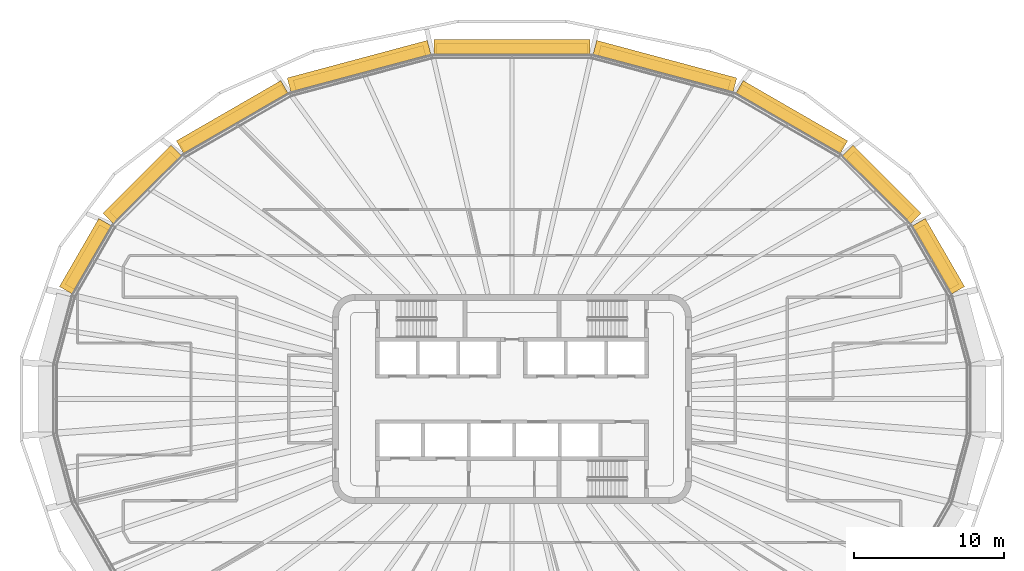
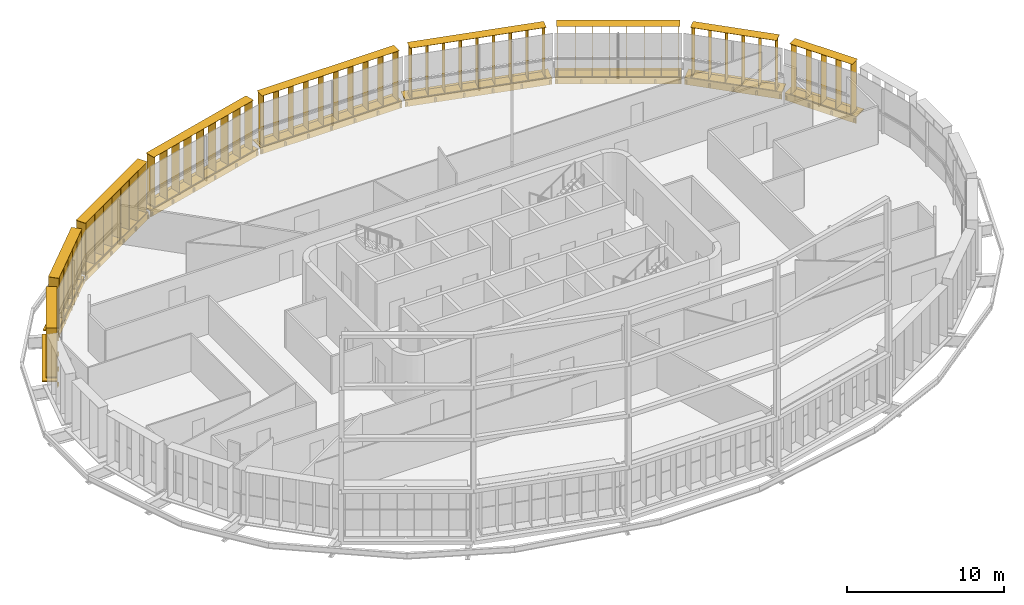
# One storey, part 20 of 20: 18 shading devices.
"""IFC4 building model written with IfcOpenShell, lengths in metres."""

from ifc_helpers import new_model, si_unit, direction, frame, origin, origin_2d, place, context, subcontext, project, spatial, rectangle, extrude, material, type_object, element, save


model = new_model("IFC4")

# Units and contexts
model_context = context("Model", 3, precision=1e-05, world=origin(), true_north=direction((0.0, 1.0)))
body_context = subcontext(model_context, "Body", "Model", "MODEL_VIEW")
ifc_project = project(units=[si_unit("LENGTHUNIT", "METRE"), si_unit("AREAUNIT", "SQUARE_METRE"), si_unit("VOLUMEUNIT", "CUBIC_METRE"), si_unit("PLANEANGLEUNIT", "RADIAN"), si_unit("MASSUNIT", "GRAM", prefix="KILO")], contexts=[model_context])

# Site, building, storey
site_placement = place(None, origin())
site = spatial("IfcSite", under=ifc_project, at=site_placement, CompositionType="ELEMENT")
building_placement = place(site_placement, origin())
building = spatial("IfcBuilding", under=site, at=building_placement, Name="Sahrelin Media Tower", CompositionType="ELEMENT")
storey_placement = place(building_placement, frame((0.0, 0.0, 209.60009765625)))
storey = spatial("IfcBuildingStorey", under=building, at=storey_placement, Name="L44", CompositionType="ELEMENT", Elevation=209.60009765625)

# Shading devices
ifc_material = material(Name="Champagne anodised aluminium 6063-T6", Category="aluminium")
shading_device_type_1 = type_object("IfcShadingDeviceType", Name="Fin cassette", PredefinedType="USERDEFINED", material=ifc_material)
placement_1 = place(storey_placement, frame((28.0615234375, 9.281982421875, 0.0), z_axis=(0.0, 0.0, 1.0), x_axis=(0.500011000363, -0.866019052629, 0.0)))
element("IfcShadingDevice", 1, at=placement_1, inside=storey, type_object=shading_device_type_1, Name="L44:FIN:L44-02", ObjectType="FIN", PredefinedType="USERDEFINED", context=body_context, shape_type="SweptSolid", body=[
    extrude(rectangle(XDim=4.60009765625, YDim=0.699951171875, at=origin_2d()), frame((0.0, 0.419921875, 0.0)), (0.0, 0.0, 1.0), 0.02001953125),
    extrude(rectangle(XDim=4.60009765625, YDim=0.699951171875, at=origin_2d()), frame((0.0, 0.419921875, 3.89990234375)), (0.0, 0.0, 1.0), 0.02001953125),
    extrude(rectangle(XDim=0.02001953125, YDim=0.699951171875, at=origin_2d()), frame((-2.199951171875, 0.419921875, 0.010009765625), z_axis=(0.0, 0.0, 1.0), x_axis=(1.0, 0.0, 0.0)), (0.0, 0.0, 1.0), 3.89990234375),
    extrude(rectangle(XDim=0.02001953125, YDim=0.699951171875, at=origin_2d()), frame((-1.10009765625, 0.419921875, 0.010009765625), z_axis=(0.0, 0.0, 1.0), x_axis=(1.0, 0.0, 0.0)), (0.0, 0.0, 1.0), 3.89990234375),
    extrude(rectangle(XDim=0.02001953125, YDim=0.699951171875, at=origin_2d()), frame((0.0, 0.419921875, 0.010009765625), z_axis=(0.0, 0.0, 1.0), x_axis=(1.0, 0.0, 0.0)), (0.0, 0.0, 1.0), 3.89990234375),
    extrude(rectangle(XDim=0.02001953125, YDim=0.699951171875, at=origin_2d()), frame((1.10009765625, 0.419921875, 0.010009765625), z_axis=(0.0, 0.0, 1.0), x_axis=(1.0, 0.0, 0.0)), (0.0, 0.0, 1.0), 3.89990234375),
    extrude(rectangle(XDim=0.02001953125, YDim=0.699951171875, at=origin_2d()), frame((2.199951171875, 0.419921875, 0.010009765625), z_axis=(0.0, 0.0, 1.0), x_axis=(1.0, 0.0, 0.0)), (0.0, 0.0, 1.0), 3.89990234375),
])
placement_2 = place(storey_placement, frame((24.356201171875, 13.985595703125, 0.0), z_axis=(0.0, 0.0, 1.0), x_axis=(0.707106781187, -0.707106781187, 0.0)))
element("IfcShadingDevice", 2, at=placement_2, inside=storey, type_object=shading_device_type_1, Name="L44:FIN:L44-03", ObjectType="FIN", PredefinedType="USERDEFINED", context=body_context, shape_type="SweptSolid", body=[
    extrude(rectangle(XDim=5.699951171875, YDim=0.699951171875, at=origin_2d()), frame((0.0, 0.419921875, 0.0)), (0.0, 0.0, 1.0), 0.02001953125),
    extrude(rectangle(XDim=5.699951171875, YDim=0.699951171875, at=origin_2d()), frame((0.0, 0.419921875, 3.89990234375)), (0.0, 0.0, 1.0), 0.02001953125),
    extrude(rectangle(XDim=0.02001953125, YDim=0.699951171875, at=origin_2d()), frame((-2.75, 0.419921875, 0.010009765625), z_axis=(0.0, 0.0, 1.0), x_axis=(1.0, 0.0, 0.0)), (0.0, 0.0, 1.0), 3.89990234375),
    extrude(rectangle(XDim=0.02001953125, YDim=0.699951171875, at=origin_2d()), frame((-1.64990234375, 0.419921875, 0.010009765625), z_axis=(0.0, 0.0, 1.0), x_axis=(1.0, 0.0, 0.0)), (0.0, 0.0, 1.0), 3.89990234375),
    extrude(rectangle(XDim=0.02001953125, YDim=0.699951171875, at=origin_2d()), frame((-0.550048828125, 0.419921875, 0.010009765625), z_axis=(0.0, 0.0, 1.0), x_axis=(1.0, 0.0, 0.0)), (0.0, 0.0, 1.0), 3.89990234375),
    extrude(rectangle(XDim=0.02001953125, YDim=0.699951171875, at=origin_2d()), frame((0.550048828125, 0.419921875, 0.010009765625), z_axis=(0.0, 0.0, 1.0), x_axis=(1.0, 0.0, 0.0)), (0.0, 0.0, 1.0), 3.89990234375),
    extrude(rectangle(XDim=0.02001953125, YDim=0.699951171875, at=origin_2d()), frame((1.64990234375, 0.419921875, 0.010009765625), z_axis=(0.0, 0.0, 1.0), x_axis=(1.0, 0.0, 0.0)), (0.0, 0.0, 1.0), 3.89990234375),
    extrude(rectangle(XDim=0.02001953125, YDim=0.699951171875, at=origin_2d()), frame((2.75, 0.419921875, 0.010009765625), z_axis=(0.0, 0.0, 1.0), x_axis=(1.0, 0.0, 0.0)), (0.0, 0.0, 1.0), 3.89990234375),
])
placement_3 = place(storey_placement, frame((18.439208984375, 18.3916015625, 0.0), z_axis=(0.0, 0.0, 1.0), x_axis=(0.866019052629, -0.500011000363, 0.0)))
element("IfcShadingDevice", 3, at=placement_3, inside=storey, type_object=shading_device_type_1, Name="L44:FIN:L44-04", ObjectType="FIN", PredefinedType="USERDEFINED", context=body_context, shape_type="SweptSolid", body=[
    extrude(rectangle(XDim=7.89990234375, YDim=0.699951171875, at=origin_2d()), frame((0.0, 0.419921875, 0.0)), (0.0, 0.0, 1.0), 0.02001953125),
    extrude(rectangle(XDim=7.89990234375, YDim=0.699951171875, at=origin_2d()), frame((0.0, 0.419921875, 3.89990234375)), (0.0, 0.0, 1.0), 0.02001953125),
    extrude(rectangle(XDim=0.02001953125, YDim=0.699951171875, at=origin_2d()), frame((-3.85009765625, 0.419921875, 0.010009765625), z_axis=(0.0, 0.0, 1.0), x_axis=(1.0, 0.0, 0.0)), (0.0, 0.0, 1.0), 3.89990234375),
    extrude(rectangle(XDim=0.02001953125, YDim=0.699951171875, at=origin_2d()), frame((-2.75, 0.419921875, 0.010009765625), z_axis=(0.0, 0.0, 1.0), x_axis=(1.0, 0.0, 0.0)), (0.0, 0.0, 1.0), 3.89990234375),
    extrude(rectangle(XDim=0.02001953125, YDim=0.699951171875, at=origin_2d()), frame((-1.64990234375, 0.419921875, 0.010009765625), z_axis=(0.0, 0.0, 1.0), x_axis=(1.0, 0.0, 0.0)), (0.0, 0.0, 1.0), 3.89990234375),
    extrude(rectangle(XDim=0.02001953125, YDim=0.699951171875, at=origin_2d()), frame((-0.550048828125, 0.419921875, 0.010009765625), z_axis=(0.0, 0.0, 1.0), x_axis=(1.0, 0.0, 0.0)), (0.0, 0.0, 1.0), 3.89990234375),
    extrude(rectangle(XDim=0.02001953125, YDim=0.699951171875, at=origin_2d()), frame((0.550048828125, 0.419921875, 0.010009765625), z_axis=(0.0, 0.0, 1.0), x_axis=(1.0, 0.0, 0.0)), (0.0, 0.0, 1.0), 3.89990234375),
    extrude(rectangle(XDim=0.02001953125, YDim=0.699951171875, at=origin_2d()), frame((1.64990234375, 0.419921875, 0.010009765625), z_axis=(0.0, 0.0, 1.0), x_axis=(1.0, 0.0, 0.0)), (0.0, 0.0, 1.0), 3.89990234375),
    extrude(rectangle(XDim=0.02001953125, YDim=0.699951171875, at=origin_2d()), frame((2.75, 0.419921875, 0.010009765625), z_axis=(0.0, 0.0, 1.0), x_axis=(1.0, 0.0, 0.0)), (0.0, 0.0, 1.0), 3.89990234375),
    extrude(rectangle(XDim=0.02001953125, YDim=0.699951171875, at=origin_2d()), frame((3.85009765625, 0.419921875, 0.010009765625), z_axis=(0.0, 0.0, 1.0), x_axis=(1.0, 0.0, 0.0)), (0.0, 0.0, 1.0), 3.89990234375),
])
placement_4 = place(storey_placement, frame((10.087158203125, 21.735595703125, 0.0), z_axis=(0.0, 0.0, 1.0), x_axis=(0.965928857556, -0.258807731996, 0.0)))
element("IfcShadingDevice", 4, at=placement_4, inside=storey, type_object=shading_device_type_1, Name="L44:FIN:L44-05", ObjectType="FIN", PredefinedType="USERDEFINED", context=body_context, shape_type="SweptSolid", body=[
    extrude(rectangle(XDim=9.0, YDim=0.699951171875, at=origin_2d()), frame((0.0, 0.419921875, 0.0)), (0.0, 0.0, 1.0), 0.02001953125),
    extrude(rectangle(XDim=9.0, YDim=0.699951171875, at=origin_2d()), frame((0.0, 0.419921875, 3.89990234375)), (0.0, 0.0, 1.0), 0.02001953125),
    extrude(rectangle(XDim=0.02001953125, YDim=0.699951171875, at=origin_2d()), frame((-4.39990234375, 0.419921875, 0.010009765625), z_axis=(0.0, 0.0, 1.0), x_axis=(1.0, 0.0, 0.0)), (0.0, 0.0, 1.0), 3.89990234375),
    extrude(rectangle(XDim=0.02001953125, YDim=0.699951171875, at=origin_2d()), frame((-3.300048828125, 0.419921875, 0.010009765625), z_axis=(0.0, 0.0, 1.0), x_axis=(1.0, 0.0, 0.0)), (0.0, 0.0, 1.0), 3.89990234375),
    extrude(rectangle(XDim=0.02001953125, YDim=0.699951171875, at=origin_2d()), frame((-2.199951171875, 0.419921875, 0.010009765625), z_axis=(0.0, 0.0, 1.0), x_axis=(1.0, 0.0, 0.0)), (0.0, 0.0, 1.0), 3.89990234375),
    extrude(rectangle(XDim=0.02001953125, YDim=0.699951171875, at=origin_2d()), frame((-1.10009765625, 0.419921875, 0.010009765625), z_axis=(0.0, 0.0, 1.0), x_axis=(1.0, 0.0, 0.0)), (0.0, 0.0, 1.0), 3.89990234375),
    extrude(rectangle(XDim=0.02001953125, YDim=0.699951171875, at=origin_2d()), frame((0.0, 0.419921875, 0.010009765625), z_axis=(0.0, 0.0, 1.0), x_axis=(1.0, 0.0, 0.0)), (0.0, 0.0, 1.0), 3.89990234375),
    extrude(rectangle(XDim=0.02001953125, YDim=0.699951171875, at=origin_2d()), frame((1.10009765625, 0.419921875, 0.010009765625), z_axis=(0.0, 0.0, 1.0), x_axis=(1.0, 0.0, 0.0)), (0.0, 0.0, 1.0), 3.89990234375),
    extrude(rectangle(XDim=0.02001953125, YDim=0.699951171875, at=origin_2d()), frame((2.199951171875, 0.419921875, 0.010009765625), z_axis=(0.0, 0.0, 1.0), x_axis=(1.0, 0.0, 0.0)), (0.0, 0.0, 1.0), 3.89990234375),
    extrude(rectangle(XDim=0.02001953125, YDim=0.699951171875, at=origin_2d()), frame((3.300048828125, 0.419921875, 0.010009765625), z_axis=(0.0, 0.0, 1.0), x_axis=(1.0, 0.0, 0.0)), (0.0, 0.0, 1.0), 3.89990234375),
    extrude(rectangle(XDim=0.02001953125, YDim=0.699951171875, at=origin_2d()), frame((4.39990234375, 0.419921875, 0.010009765625), z_axis=(0.0, 0.0, 1.0), x_axis=(1.0, 0.0, 0.0)), (0.0, 0.0, 1.0), 3.89990234375),
])
placement_5 = place(storey_placement, frame((0.0, 23.015625, 0.0), z_axis=(0.0, 0.0, 1.0), x_axis=(1.0, 0.0, 0.0)))
element("IfcShadingDevice", 5, at=placement_5, inside=storey, type_object=shading_device_type_1, Name="L44:FIN:L44-06", ObjectType="FIN", PredefinedType="USERDEFINED", context=body_context, shape_type="SweptSolid", body=[
    extrude(rectangle(XDim=10.10009765625, YDim=0.699951171875, at=origin_2d()), frame((0.0, 0.419921875, 0.0)), (0.0, 0.0, 1.0), 0.02001953125),
    extrude(rectangle(XDim=10.10009765625, YDim=0.699951171875, at=origin_2d()), frame((0.0, 0.419921875, 3.89990234375)), (0.0, 0.0, 1.0), 0.02001953125),
    extrude(rectangle(XDim=0.02001953125, YDim=0.699951171875, at=origin_2d()), frame((-4.949951171875, 0.419921875, 0.010009765625), z_axis=(0.0, 0.0, 1.0), x_axis=(1.0, 0.0, 0.0)), (0.0, 0.0, 1.0), 3.89990234375),
    extrude(rectangle(XDim=0.02001953125, YDim=0.699951171875, at=origin_2d()), frame((-3.85009765625, 0.419921875, 0.010009765625), z_axis=(0.0, 0.0, 1.0), x_axis=(1.0, 0.0, 0.0)), (0.0, 0.0, 1.0), 3.89990234375),
    extrude(rectangle(XDim=0.02001953125, YDim=0.699951171875, at=origin_2d()), frame((-2.75, 0.419921875, 0.010009765625), z_axis=(0.0, 0.0, 1.0), x_axis=(1.0, 0.0, 0.0)), (0.0, 0.0, 1.0), 3.89990234375),
    extrude(rectangle(XDim=0.02001953125, YDim=0.699951171875, at=origin_2d()), frame((-1.64990234375, 0.419921875, 0.010009765625), z_axis=(0.0, 0.0, 1.0), x_axis=(1.0, 0.0, 0.0)), (0.0, 0.0, 1.0), 3.89990234375),
    extrude(rectangle(XDim=0.02001953125, YDim=0.699951171875, at=origin_2d()), frame((-0.550048828125, 0.419921875, 0.010009765625), z_axis=(0.0, 0.0, 1.0), x_axis=(1.0, 0.0, 0.0)), (0.0, 0.0, 1.0), 3.89990234375),
    extrude(rectangle(XDim=0.02001953125, YDim=0.699951171875, at=origin_2d()), frame((0.550048828125, 0.419921875, 0.010009765625), z_axis=(0.0, 0.0, 1.0), x_axis=(1.0, 0.0, 0.0)), (0.0, 0.0, 1.0), 3.89990234375),
    extrude(rectangle(XDim=0.02001953125, YDim=0.699951171875, at=origin_2d()), frame((1.64990234375, 0.419921875, 0.010009765625), z_axis=(0.0, 0.0, 1.0), x_axis=(1.0, 0.0, 0.0)), (0.0, 0.0, 1.0), 3.89990234375),
    extrude(rectangle(XDim=0.02001953125, YDim=0.699951171875, at=origin_2d()), frame((2.75, 0.419921875, 0.010009765625), z_axis=(0.0, 0.0, 1.0), x_axis=(1.0, 0.0, 0.0)), (0.0, 0.0, 1.0), 3.89990234375),
    extrude(rectangle(XDim=0.02001953125, YDim=0.699951171875, at=origin_2d()), frame((3.85009765625, 0.419921875, 0.010009765625), z_axis=(0.0, 0.0, 1.0), x_axis=(1.0, 0.0, 0.0)), (0.0, 0.0, 1.0), 3.89990234375),
    extrude(rectangle(XDim=0.02001953125, YDim=0.699951171875, at=origin_2d()), frame((4.949951171875, 0.419921875, 0.010009765625), z_axis=(0.0, 0.0, 1.0), x_axis=(1.0, 0.0, 0.0)), (0.0, 0.0, 1.0), 3.89990234375),
])
placement_6 = place(storey_placement, frame((-10.0869140625, 21.735595703125, 0.0), z_axis=(0.0, 0.0, 1.0), x_axis=(0.965928857556, 0.258807731996, 0.0)))
element("IfcShadingDevice", 6, at=placement_6, inside=storey, type_object=shading_device_type_1, Name="L44:FIN:L44-07", ObjectType="FIN", PredefinedType="USERDEFINED", context=body_context, shape_type="SweptSolid", body=[
    extrude(rectangle(XDim=9.0, YDim=0.699951171875, at=origin_2d()), frame((0.0, 0.419921875, 0.0)), (0.0, 0.0, 1.0), 0.02001953125),
    extrude(rectangle(XDim=9.0, YDim=0.699951171875, at=origin_2d()), frame((0.0, 0.419921875, 3.89990234375)), (0.0, 0.0, 1.0), 0.02001953125),
    extrude(rectangle(XDim=0.02001953125, YDim=0.699951171875, at=origin_2d()), frame((-4.39990234375, 0.419921875, 0.010009765625), z_axis=(0.0, 0.0, 1.0), x_axis=(1.0, 0.0, 0.0)), (0.0, 0.0, 1.0), 3.89990234375),
    extrude(rectangle(XDim=0.02001953125, YDim=0.699951171875, at=origin_2d()), frame((-3.300048828125, 0.419921875, 0.010009765625), z_axis=(0.0, 0.0, 1.0), x_axis=(1.0, 0.0, 0.0)), (0.0, 0.0, 1.0), 3.89990234375),
    extrude(rectangle(XDim=0.02001953125, YDim=0.699951171875, at=origin_2d()), frame((-2.199951171875, 0.419921875, 0.010009765625), z_axis=(0.0, 0.0, 1.0), x_axis=(1.0, 0.0, 0.0)), (0.0, 0.0, 1.0), 3.89990234375),
    extrude(rectangle(XDim=0.02001953125, YDim=0.699951171875, at=origin_2d()), frame((-1.10009765625, 0.419921875, 0.010009765625), z_axis=(0.0, 0.0, 1.0), x_axis=(1.0, 0.0, 0.0)), (0.0, 0.0, 1.0), 3.89990234375),
    extrude(rectangle(XDim=0.02001953125, YDim=0.699951171875, at=origin_2d()), frame((0.0, 0.419921875, 0.010009765625), z_axis=(0.0, 0.0, 1.0), x_axis=(1.0, 0.0, 0.0)), (0.0, 0.0, 1.0), 3.89990234375),
    extrude(rectangle(XDim=0.02001953125, YDim=0.699951171875, at=origin_2d()), frame((1.10009765625, 0.419921875, 0.010009765625), z_axis=(0.0, 0.0, 1.0), x_axis=(1.0, 0.0, 0.0)), (0.0, 0.0, 1.0), 3.89990234375),
    extrude(rectangle(XDim=0.02001953125, YDim=0.699951171875, at=origin_2d()), frame((2.199951171875, 0.419921875, 0.010009765625), z_axis=(0.0, 0.0, 1.0), x_axis=(1.0, 0.0, 0.0)), (0.0, 0.0, 1.0), 3.89990234375),
    extrude(rectangle(XDim=0.02001953125, YDim=0.699951171875, at=origin_2d()), frame((3.300048828125, 0.419921875, 0.010009765625), z_axis=(0.0, 0.0, 1.0), x_axis=(1.0, 0.0, 0.0)), (0.0, 0.0, 1.0), 3.89990234375),
    extrude(rectangle(XDim=0.02001953125, YDim=0.699951171875, at=origin_2d()), frame((4.39990234375, 0.419921875, 0.010009765625), z_axis=(0.0, 0.0, 1.0), x_axis=(1.0, 0.0, 0.0)), (0.0, 0.0, 1.0), 3.89990234375),
])
placement_7 = place(storey_placement, frame((-18.439208984375, 18.3916015625, 0.0), z_axis=(0.0, 0.0, 1.0), x_axis=(0.866019052629, 0.500011000363, 0.0)))
element("IfcShadingDevice", 7, at=placement_7, inside=storey, type_object=shading_device_type_1, Name="L44:FIN:L44-08", ObjectType="FIN", PredefinedType="USERDEFINED", context=body_context, shape_type="SweptSolid", body=[
    extrude(rectangle(XDim=7.89990234375, YDim=0.699951171875, at=origin_2d()), frame((0.0, 0.419921875, 0.0)), (0.0, 0.0, 1.0), 0.02001953125),
    extrude(rectangle(XDim=7.89990234375, YDim=0.699951171875, at=origin_2d()), frame((0.0, 0.419921875, 3.89990234375)), (0.0, 0.0, 1.0), 0.02001953125),
    extrude(rectangle(XDim=0.02001953125, YDim=0.699951171875, at=origin_2d()), frame((-3.85009765625, 0.419921875, 0.010009765625), z_axis=(0.0, 0.0, 1.0), x_axis=(1.0, 0.0, 0.0)), (0.0, 0.0, 1.0), 3.89990234375),
    extrude(rectangle(XDim=0.02001953125, YDim=0.699951171875, at=origin_2d()), frame((-2.75, 0.419921875, 0.010009765625), z_axis=(0.0, 0.0, 1.0), x_axis=(1.0, 0.0, 0.0)), (0.0, 0.0, 1.0), 3.89990234375),
    extrude(rectangle(XDim=0.02001953125, YDim=0.699951171875, at=origin_2d()), frame((-1.64990234375, 0.419921875, 0.010009765625), z_axis=(0.0, 0.0, 1.0), x_axis=(1.0, 0.0, 0.0)), (0.0, 0.0, 1.0), 3.89990234375),
    extrude(rectangle(XDim=0.02001953125, YDim=0.699951171875, at=origin_2d()), frame((-0.550048828125, 0.419921875, 0.010009765625), z_axis=(0.0, 0.0, 1.0), x_axis=(1.0, 0.0, 0.0)), (0.0, 0.0, 1.0), 3.89990234375),
    extrude(rectangle(XDim=0.02001953125, YDim=0.699951171875, at=origin_2d()), frame((0.550048828125, 0.419921875, 0.010009765625), z_axis=(0.0, 0.0, 1.0), x_axis=(1.0, 0.0, 0.0)), (0.0, 0.0, 1.0), 3.89990234375),
    extrude(rectangle(XDim=0.02001953125, YDim=0.699951171875, at=origin_2d()), frame((1.64990234375, 0.419921875, 0.010009765625), z_axis=(0.0, 0.0, 1.0), x_axis=(1.0, 0.0, 0.0)), (0.0, 0.0, 1.0), 3.89990234375),
    extrude(rectangle(XDim=0.02001953125, YDim=0.699951171875, at=origin_2d()), frame((2.75, 0.419921875, 0.010009765625), z_axis=(0.0, 0.0, 1.0), x_axis=(1.0, 0.0, 0.0)), (0.0, 0.0, 1.0), 3.89990234375),
    extrude(rectangle(XDim=0.02001953125, YDim=0.699951171875, at=origin_2d()), frame((3.85009765625, 0.419921875, 0.010009765625), z_axis=(0.0, 0.0, 1.0), x_axis=(1.0, 0.0, 0.0)), (0.0, 0.0, 1.0), 3.89990234375),
])
placement_8 = place(storey_placement, frame((-24.356201171875, 13.985595703125, 0.0), z_axis=(0.0, 0.0, 1.0), x_axis=(0.707106781187, 0.707106781187, 0.0)))
element("IfcShadingDevice", 8, at=placement_8, inside=storey, type_object=shading_device_type_1, Name="L44:FIN:L44-09", ObjectType="FIN", PredefinedType="USERDEFINED", context=body_context, shape_type="SweptSolid", body=[
    extrude(rectangle(XDim=5.699951171875, YDim=0.699951171875, at=origin_2d()), frame((0.0, 0.419921875, 0.0)), (0.0, 0.0, 1.0), 0.02001953125),
    extrude(rectangle(XDim=5.699951171875, YDim=0.699951171875, at=origin_2d()), frame((0.0, 0.419921875, 3.89990234375)), (0.0, 0.0, 1.0), 0.02001953125),
    extrude(rectangle(XDim=0.02001953125, YDim=0.699951171875, at=origin_2d()), frame((-2.75, 0.419921875, 0.010009765625), z_axis=(0.0, 0.0, 1.0), x_axis=(1.0, 0.0, 0.0)), (0.0, 0.0, 1.0), 3.89990234375),
    extrude(rectangle(XDim=0.02001953125, YDim=0.699951171875, at=origin_2d()), frame((-1.64990234375, 0.419921875, 0.010009765625), z_axis=(0.0, 0.0, 1.0), x_axis=(1.0, 0.0, 0.0)), (0.0, 0.0, 1.0), 3.89990234375),
    extrude(rectangle(XDim=0.02001953125, YDim=0.699951171875, at=origin_2d()), frame((-0.550048828125, 0.419921875, 0.010009765625), z_axis=(0.0, 0.0, 1.0), x_axis=(1.0, 0.0, 0.0)), (0.0, 0.0, 1.0), 3.89990234375),
    extrude(rectangle(XDim=0.02001953125, YDim=0.699951171875, at=origin_2d()), frame((0.550048828125, 0.419921875, 0.010009765625), z_axis=(0.0, 0.0, 1.0), x_axis=(1.0, 0.0, 0.0)), (0.0, 0.0, 1.0), 3.89990234375),
    extrude(rectangle(XDim=0.02001953125, YDim=0.699951171875, at=origin_2d()), frame((1.64990234375, 0.419921875, 0.010009765625), z_axis=(0.0, 0.0, 1.0), x_axis=(1.0, 0.0, 0.0)), (0.0, 0.0, 1.0), 3.89990234375),
    extrude(rectangle(XDim=0.02001953125, YDim=0.699951171875, at=origin_2d()), frame((2.75, 0.419921875, 0.010009765625), z_axis=(0.0, 0.0, 1.0), x_axis=(1.0, 0.0, 0.0)), (0.0, 0.0, 1.0), 3.89990234375),
])
placement_9 = place(storey_placement, frame((-28.0615234375, 9.281982421875, 0.0), z_axis=(0.0, 0.0, 1.0), x_axis=(0.500011000363, 0.866019052629, 0.0)))
element("IfcShadingDevice", 9, at=placement_9, inside=storey, type_object=shading_device_type_1, Name="L44:FIN:L44-10", ObjectType="FIN", PredefinedType="USERDEFINED", context=body_context, shape_type="SweptSolid", body=[
    extrude(rectangle(XDim=4.60009765625, YDim=0.699951171875, at=origin_2d()), frame((0.0, 0.419921875, 0.0)), (0.0, 0.0, 1.0), 0.02001953125),
    extrude(rectangle(XDim=4.60009765625, YDim=0.699951171875, at=origin_2d()), frame((0.0, 0.419921875, 3.89990234375)), (0.0, 0.0, 1.0), 0.02001953125),
    extrude(rectangle(XDim=0.02001953125, YDim=0.699951171875, at=origin_2d()), frame((-2.199951171875, 0.419921875, 0.010009765625), z_axis=(0.0, 0.0, 1.0), x_axis=(1.0, 0.0, 0.0)), (0.0, 0.0, 1.0), 3.89990234375),
    extrude(rectangle(XDim=0.02001953125, YDim=0.699951171875, at=origin_2d()), frame((-1.10009765625, 0.419921875, 0.010009765625), z_axis=(0.0, 0.0, 1.0), x_axis=(1.0, 0.0, 0.0)), (0.0, 0.0, 1.0), 3.89990234375),
    extrude(rectangle(XDim=0.02001953125, YDim=0.699951171875, at=origin_2d()), frame((0.0, 0.419921875, 0.010009765625), z_axis=(0.0, 0.0, 1.0), x_axis=(1.0, 0.0, 0.0)), (0.0, 0.0, 1.0), 3.89990234375),
    extrude(rectangle(XDim=0.02001953125, YDim=0.699951171875, at=origin_2d()), frame((1.10009765625, 0.419921875, 0.010009765625), z_axis=(0.0, 0.0, 1.0), x_axis=(1.0, 0.0, 0.0)), (0.0, 0.0, 1.0), 3.89990234375),
    extrude(rectangle(XDim=0.02001953125, YDim=0.699951171875, at=origin_2d()), frame((2.199951171875, 0.419921875, 0.010009765625), z_axis=(0.0, 0.0, 1.0), x_axis=(1.0, 0.0, 0.0)), (0.0, 0.0, 1.0), 3.89990234375),
])
shading_device_type_2 = type_object("IfcShadingDeviceType", Name="Sunshade band", PredefinedType="USERDEFINED", material=ifc_material)
element("IfcShadingDevice", 10, at=placement_1, inside=storey, type_object=shading_device_type_2, Name="L44:SUN:L44-02", ObjectType="SUNSHADE", PredefinedType="USERDEFINED", context=body_context, shape_type="SweptSolid", body=[
    extrude(rectangle(XDim=5.253173828125, YDim=0.050048828125, at=origin_2d()), frame((0.0, 0.044921875, -0.55126953125)), (0.0, 0.0, 1.0), 0.471435546875),
    extrude(rectangle(XDim=5.253173828125, YDim=1.0, at=origin_2d()), frame((0.0, 0.52001953125, -0.080078125)), (0.0, 0.0, 1.0), 0.080078125),
    extrude(rectangle(XDim=0.10009765625, YDim=0.074951171875, at=origin_2d()), frame((-2.526611328125, -0.017578125, -0.47021484375)), (0.0, 0.0, 1.0), 0.300048828125),
    extrude(rectangle(XDim=0.10009765625, YDim=0.074951171875, at=origin_2d()), frame((-0.84228515625, -0.017578125, -0.47021484375)), (0.0, 0.0, 1.0), 0.300048828125),
    extrude(rectangle(XDim=0.10009765625, YDim=0.074951171875, at=origin_2d()), frame((0.84228515625, -0.017578125, -0.47021484375)), (0.0, 0.0, 1.0), 0.300048828125),
    extrude(rectangle(XDim=0.10009765625, YDim=0.074951171875, at=origin_2d()), frame((2.526611328125, -0.017578125, -0.47021484375)), (0.0, 0.0, 1.0), 0.300048828125),
])
element("IfcShadingDevice", 11, at=placement_2, inside=storey, type_object=shading_device_type_2, Name="L44:SUN:L44-03", ObjectType="SUNSHADE", PredefinedType="USERDEFINED", context=body_context, shape_type="SweptSolid", body=[
    extrude(rectangle(XDim=6.4248046875, YDim=0.050048828125, at=origin_2d()), frame((0.0, 0.044921875, -0.55126953125)), (0.0, 0.0, 1.0), 0.471435546875),
    extrude(rectangle(XDim=6.4248046875, YDim=1.0, at=origin_2d()), frame((0.0, 0.52001953125, -0.080078125)), (0.0, 0.0, 1.0), 0.080078125),
    extrude(rectangle(XDim=0.10009765625, YDim=0.074951171875, at=origin_2d()), frame((-3.1123046875, -0.017578125, -0.47021484375)), (0.0, 0.0, 1.0), 0.300048828125),
    extrude(rectangle(XDim=0.10009765625, YDim=0.074951171875, at=origin_2d()), frame((-1.55615234375, -0.017578125, -0.47021484375)), (0.0, 0.0, 1.0), 0.300048828125),
    extrude(rectangle(XDim=0.10009765625, YDim=0.074951171875, at=origin_2d()), frame((0.0, -0.017578125, -0.47021484375)), (0.0, 0.0, 1.0), 0.300048828125),
    extrude(rectangle(XDim=0.10009765625, YDim=0.074951171875, at=origin_2d()), frame((1.55615234375, -0.017578125, -0.47021484375)), (0.0, 0.0, 1.0), 0.300048828125),
    extrude(rectangle(XDim=0.10009765625, YDim=0.074951171875, at=origin_2d()), frame((3.1123046875, -0.017578125, -0.47021484375)), (0.0, 0.0, 1.0), 0.300048828125),
])
element("IfcShadingDevice", 12, at=placement_3, inside=storey, type_object=shading_device_type_2, Name="L44:SUN:L44-04", ObjectType="SUNSHADE", PredefinedType="USERDEFINED", context=body_context, shape_type="SweptSolid", body=[
    extrude(rectangle(XDim=8.055419921875, YDim=0.050048828125, at=origin_2d()), frame((0.0, 0.044921875, -0.55126953125)), (0.0, 0.0, 1.0), 0.471435546875),
    extrude(rectangle(XDim=8.055419921875, YDim=1.0, at=origin_2d()), frame((0.0, 0.52001953125, -0.080078125)), (0.0, 0.0, 1.0), 0.080078125),
    extrude(rectangle(XDim=0.10009765625, YDim=0.074951171875, at=origin_2d()), frame((-3.927734375, -0.017578125, -0.47021484375)), (0.0, 0.0, 1.0), 0.300048828125),
    extrude(rectangle(XDim=0.10009765625, YDim=0.074951171875, at=origin_2d()), frame((-2.356689453125, -0.017578125, -0.47021484375)), (0.0, 0.0, 1.0), 0.300048828125),
    extrude(rectangle(XDim=0.10009765625, YDim=0.074951171875, at=origin_2d()), frame((-0.78564453125, -0.017578125, -0.47021484375)), (0.0, 0.0, 1.0), 0.300048828125),
    extrude(rectangle(XDim=0.10009765625, YDim=0.074951171875, at=origin_2d()), frame((0.78564453125, -0.017578125, -0.47021484375)), (0.0, 0.0, 1.0), 0.300048828125),
    extrude(rectangle(XDim=0.10009765625, YDim=0.074951171875, at=origin_2d()), frame((2.356689453125, -0.017578125, -0.47021484375)), (0.0, 0.0, 1.0), 0.300048828125),
    extrude(rectangle(XDim=0.10009765625, YDim=0.074951171875, at=origin_2d()), frame((3.927734375, -0.017578125, -0.47021484375)), (0.0, 0.0, 1.0), 0.300048828125),
])
element("IfcShadingDevice", 13, at=placement_4, inside=storey, type_object=shading_device_type_2, Name="L44:SUN:L44-05", ObjectType="SUNSHADE", PredefinedType="USERDEFINED", context=body_context, shape_type="SweptSolid", body=[
    extrude(rectangle(XDim=9.691650390625, YDim=0.050048828125, at=origin_2d()), frame((0.0, 0.044921875, -0.55126953125)), (0.0, 0.0, 1.0), 0.471435546875),
    extrude(rectangle(XDim=9.691650390625, YDim=1.0, at=origin_2d()), frame((0.0, 0.52001953125, -0.080078125)), (0.0, 0.0, 1.0), 0.080078125),
    extrude(rectangle(XDim=0.10009765625, YDim=0.074951171875, at=origin_2d()), frame((-4.745849609375, -0.017578125, -0.47021484375)), (0.0, 0.0, 1.0), 0.300048828125),
    extrude(rectangle(XDim=0.10009765625, YDim=0.074951171875, at=origin_2d()), frame((-2.847412109375, -0.017578125, -0.47021484375)), (0.0, 0.0, 1.0), 0.300048828125),
    extrude(rectangle(XDim=0.10009765625, YDim=0.074951171875, at=origin_2d()), frame((-0.94921875, -0.017578125, -0.47021484375)), (0.0, 0.0, 1.0), 0.300048828125),
    extrude(rectangle(XDim=0.10009765625, YDim=0.074951171875, at=origin_2d()), frame((0.94921875, -0.017578125, -0.47021484375)), (0.0, 0.0, 1.0), 0.300048828125),
    extrude(rectangle(XDim=0.10009765625, YDim=0.074951171875, at=origin_2d()), frame((2.847412109375, -0.017578125, -0.47021484375)), (0.0, 0.0, 1.0), 0.300048828125),
    extrude(rectangle(XDim=0.10009765625, YDim=0.074951171875, at=origin_2d()), frame((4.745849609375, -0.017578125, -0.47021484375)), (0.0, 0.0, 1.0), 0.300048828125),
])
element("IfcShadingDevice", 14, at=placement_5, inside=storey, type_object=shading_device_type_2, Name="L44:SUN:L44-06", ObjectType="SUNSHADE", PredefinedType="USERDEFINED", context=body_context, shape_type="SweptSolid", body=[
    extrude(rectangle(XDim=10.41943359375, YDim=0.050048828125, at=origin_2d()), frame((0.0, 0.044921875, -0.55126953125)), (0.0, 0.0, 1.0), 0.471435546875),
    extrude(rectangle(XDim=10.41943359375, YDim=1.0, at=origin_2d()), frame((0.0, 0.52001953125, -0.080078125)), (0.0, 0.0, 1.0), 0.080078125),
    extrude(rectangle(XDim=0.10009765625, YDim=0.074951171875, at=origin_2d()), frame((-5.109619140625, -0.017578125, -0.47021484375)), (0.0, 0.0, 1.0), 0.300048828125),
    extrude(rectangle(XDim=0.10009765625, YDim=0.074951171875, at=origin_2d()), frame((-3.406494140625, -0.017578125, -0.47021484375)), (0.0, 0.0, 1.0), 0.300048828125),
    extrude(rectangle(XDim=0.10009765625, YDim=0.074951171875, at=origin_2d()), frame((-1.703125, -0.017578125, -0.47021484375)), (0.0, 0.0, 1.0), 0.300048828125),
    extrude(rectangle(XDim=0.10009765625, YDim=0.074951171875, at=origin_2d()), frame((0.0, -0.017578125, -0.47021484375)), (0.0, 0.0, 1.0), 0.300048828125),
    extrude(rectangle(XDim=0.10009765625, YDim=0.074951171875, at=origin_2d()), frame((1.703125, -0.017578125, -0.47021484375)), (0.0, 0.0, 1.0), 0.300048828125),
    extrude(rectangle(XDim=0.10009765625, YDim=0.074951171875, at=origin_2d()), frame((3.406494140625, -0.017578125, -0.47021484375)), (0.0, 0.0, 1.0), 0.300048828125),
    extrude(rectangle(XDim=0.10009765625, YDim=0.074951171875, at=origin_2d()), frame((5.109619140625, -0.017578125, -0.47021484375)), (0.0, 0.0, 1.0), 0.300048828125),
])
element("IfcShadingDevice", 15, at=placement_6, inside=storey, type_object=shading_device_type_2, Name="L44:SUN:L44-07", ObjectType="SUNSHADE", PredefinedType="USERDEFINED", context=body_context, shape_type="SweptSolid", body=[
    extrude(rectangle(XDim=9.691650390625, YDim=0.050048828125, at=origin_2d()), frame((0.0, 0.044921875, -0.55126953125)), (0.0, 0.0, 1.0), 0.471435546875),
    extrude(rectangle(XDim=9.691650390625, YDim=1.0, at=origin_2d()), frame((0.0, 0.52001953125, -0.080078125)), (0.0, 0.0, 1.0), 0.080078125),
    extrude(rectangle(XDim=0.10009765625, YDim=0.074951171875, at=origin_2d()), frame((-4.745849609375, -0.017578125, -0.47021484375)), (0.0, 0.0, 1.0), 0.300048828125),
    extrude(rectangle(XDim=0.10009765625, YDim=0.074951171875, at=origin_2d()), frame((-2.847412109375, -0.017578125, -0.47021484375)), (0.0, 0.0, 1.0), 0.300048828125),
    extrude(rectangle(XDim=0.10009765625, YDim=0.074951171875, at=origin_2d()), frame((-0.94921875, -0.017578125, -0.47021484375)), (0.0, 0.0, 1.0), 0.300048828125),
    extrude(rectangle(XDim=0.10009765625, YDim=0.074951171875, at=origin_2d()), frame((0.94921875, -0.017578125, -0.47021484375)), (0.0, 0.0, 1.0), 0.300048828125),
    extrude(rectangle(XDim=0.10009765625, YDim=0.074951171875, at=origin_2d()), frame((2.847412109375, -0.017578125, -0.47021484375)), (0.0, 0.0, 1.0), 0.300048828125),
    extrude(rectangle(XDim=0.10009765625, YDim=0.074951171875, at=origin_2d()), frame((4.745849609375, -0.017578125, -0.47021484375)), (0.0, 0.0, 1.0), 0.300048828125),
])
element("IfcShadingDevice", 16, at=placement_7, inside=storey, type_object=shading_device_type_2, Name="L44:SUN:L44-08", ObjectType="SUNSHADE", PredefinedType="USERDEFINED", context=body_context, shape_type="SweptSolid", body=[
    extrude(rectangle(XDim=8.055419921875, YDim=0.050048828125, at=origin_2d()), frame((0.0, 0.044921875, -0.55126953125)), (0.0, 0.0, 1.0), 0.471435546875),
    extrude(rectangle(XDim=8.055419921875, YDim=1.0, at=origin_2d()), frame((0.0, 0.52001953125, -0.080078125)), (0.0, 0.0, 1.0), 0.080078125),
    extrude(rectangle(XDim=0.10009765625, YDim=0.074951171875, at=origin_2d()), frame((-3.927734375, -0.017578125, -0.47021484375)), (0.0, 0.0, 1.0), 0.300048828125),
    extrude(rectangle(XDim=0.10009765625, YDim=0.074951171875, at=origin_2d()), frame((-2.356689453125, -0.017578125, -0.47021484375)), (0.0, 0.0, 1.0), 0.300048828125),
    extrude(rectangle(XDim=0.10009765625, YDim=0.074951171875, at=origin_2d()), frame((-0.78564453125, -0.017578125, -0.47021484375)), (0.0, 0.0, 1.0), 0.300048828125),
    extrude(rectangle(XDim=0.10009765625, YDim=0.074951171875, at=origin_2d()), frame((0.78564453125, -0.017578125, -0.47021484375)), (0.0, 0.0, 1.0), 0.300048828125),
    extrude(rectangle(XDim=0.10009765625, YDim=0.074951171875, at=origin_2d()), frame((2.356689453125, -0.017578125, -0.47021484375)), (0.0, 0.0, 1.0), 0.300048828125),
    extrude(rectangle(XDim=0.10009765625, YDim=0.074951171875, at=origin_2d()), frame((3.927734375, -0.017578125, -0.47021484375)), (0.0, 0.0, 1.0), 0.300048828125),
])
element("IfcShadingDevice", 17, at=placement_8, inside=storey, type_object=shading_device_type_2, Name="L44:SUN:L44-09", ObjectType="SUNSHADE", PredefinedType="USERDEFINED", context=body_context, shape_type="SweptSolid", body=[
    extrude(rectangle(XDim=6.4248046875, YDim=0.050048828125, at=origin_2d()), frame((0.0, 0.044921875, -0.55126953125)), (0.0, 0.0, 1.0), 0.471435546875),
    extrude(rectangle(XDim=6.4248046875, YDim=1.0, at=origin_2d()), frame((0.0, 0.52001953125, -0.080078125)), (0.0, 0.0, 1.0), 0.080078125),
    extrude(rectangle(XDim=0.10009765625, YDim=0.074951171875, at=origin_2d()), frame((-3.1123046875, -0.017578125, -0.47021484375)), (0.0, 0.0, 1.0), 0.300048828125),
    extrude(rectangle(XDim=0.10009765625, YDim=0.074951171875, at=origin_2d()), frame((-1.55615234375, -0.017578125, -0.47021484375)), (0.0, 0.0, 1.0), 0.300048828125),
    extrude(rectangle(XDim=0.10009765625, YDim=0.074951171875, at=origin_2d()), frame((0.0, -0.017578125, -0.47021484375)), (0.0, 0.0, 1.0), 0.300048828125),
    extrude(rectangle(XDim=0.10009765625, YDim=0.074951171875, at=origin_2d()), frame((1.55615234375, -0.017578125, -0.47021484375)), (0.0, 0.0, 1.0), 0.300048828125),
    extrude(rectangle(XDim=0.10009765625, YDim=0.074951171875, at=origin_2d()), frame((3.1123046875, -0.017578125, -0.47021484375)), (0.0, 0.0, 1.0), 0.300048828125),
])
element("IfcShadingDevice", 18, at=placement_9, inside=storey, type_object=shading_device_type_2, Name="L44:SUN:L44-10", ObjectType="SUNSHADE", PredefinedType="USERDEFINED", context=body_context, shape_type="SweptSolid", body=[
    extrude(rectangle(XDim=5.253173828125, YDim=0.050048828125, at=origin_2d()), frame((0.0, 0.044921875, -0.55126953125)), (0.0, 0.0, 1.0), 0.471435546875),
    extrude(rectangle(XDim=5.253173828125, YDim=1.0, at=origin_2d()), frame((0.0, 0.52001953125, -0.080078125)), (0.0, 0.0, 1.0), 0.080078125),
    extrude(rectangle(XDim=0.10009765625, YDim=0.074951171875, at=origin_2d()), frame((-2.526611328125, -0.017578125, -0.47021484375)), (0.0, 0.0, 1.0), 0.300048828125),
    extrude(rectangle(XDim=0.10009765625, YDim=0.074951171875, at=origin_2d()), frame((-0.84228515625, -0.017578125, -0.47021484375)), (0.0, 0.0, 1.0), 0.300048828125),
    extrude(rectangle(XDim=0.10009765625, YDim=0.074951171875, at=origin_2d()), frame((0.84228515625, -0.017578125, -0.47021484375)), (0.0, 0.0, 1.0), 0.300048828125),
    extrude(rectangle(XDim=0.10009765625, YDim=0.074951171875, at=origin_2d()), frame((2.526611328125, -0.017578125, -0.47021484375)), (0.0, 0.0, 1.0), 0.300048828125),
])

save(model, "model.ifc")
